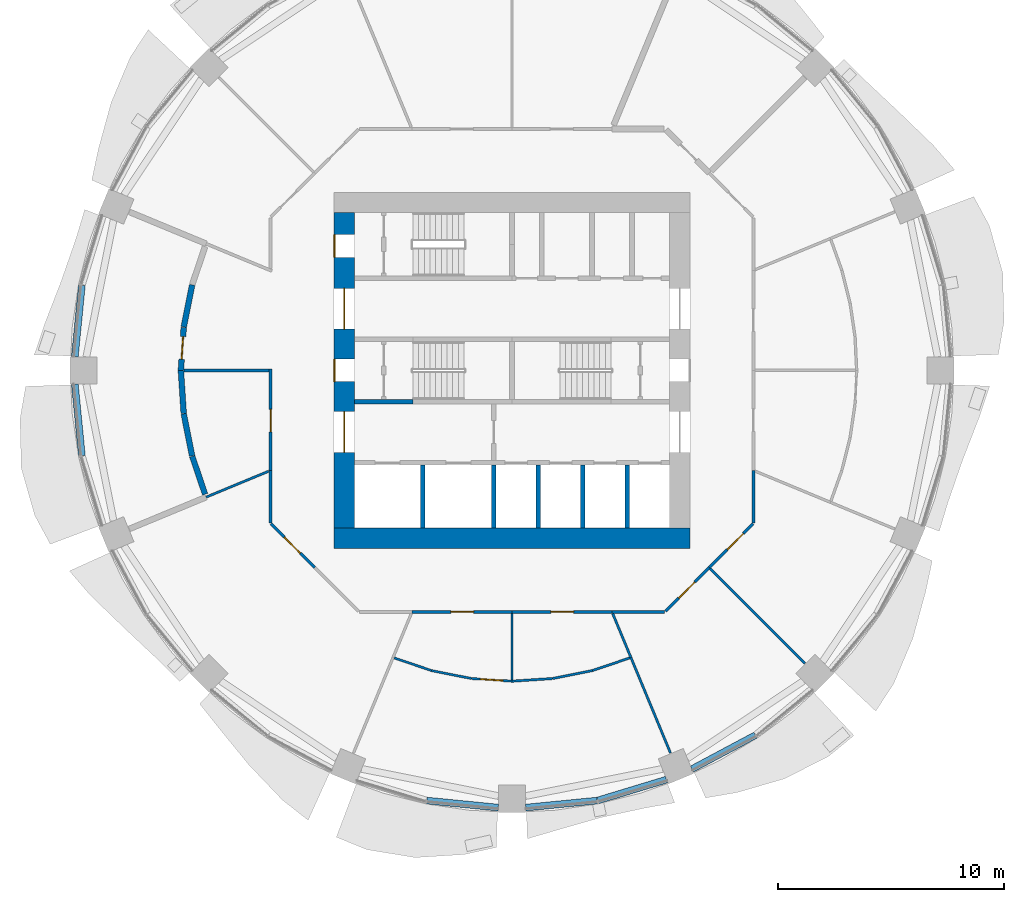
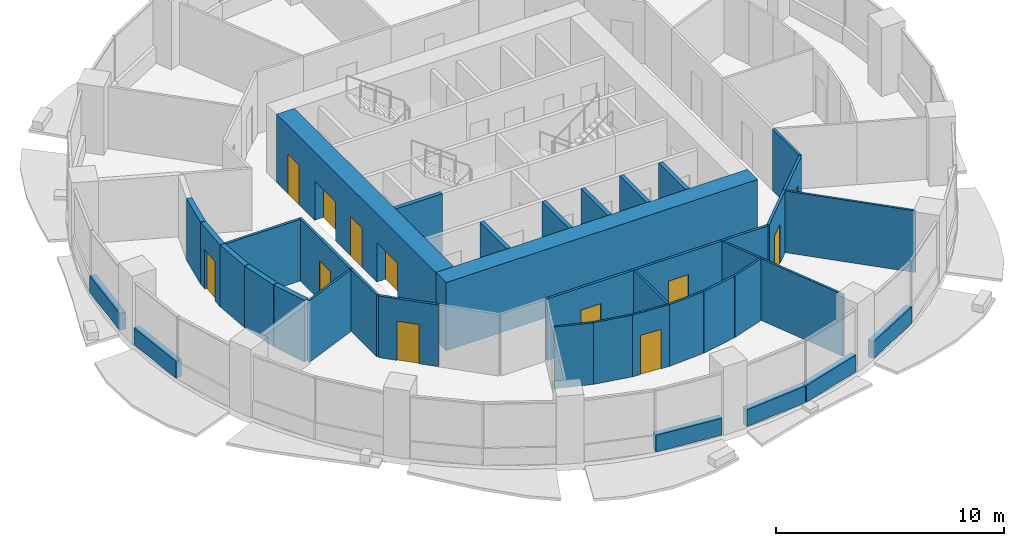
# One storey, part 8 of 15: 40 walls, 12 doors, 12 openings.
"""IFC4 building model written with IfcOpenShell, lengths in metres."""

from ifc_helpers import new_model, si_unit, direction, frame, frame_2d, origin, place, context, subcontext, project, spatial, rectangle, extrude, material, layer, layer_set, type_object, element, fill, save


model = new_model("IFC4")

# Units and contexts
model_context = context("Model", 3, precision=1e-05, world=origin(), true_north=direction((0.0, 1.0)))
body_context = subcontext(model_context, "Body", "Model", "MODEL_VIEW")
ifc_project = project(units=[si_unit("LENGTHUNIT", "METRE"), si_unit("AREAUNIT", "SQUARE_METRE"), si_unit("VOLUMEUNIT", "CUBIC_METRE"), si_unit("PLANEANGLEUNIT", "RADIAN"), si_unit("MASSUNIT", "GRAM", prefix="KILO")], contexts=[model_context])

# Site, building, storey
site_placement = place(None, origin())
site = spatial("IfcSite", under=ifc_project, at=site_placement, CompositionType="ELEMENT")
building_placement = place(site_placement, origin())
building = spatial("IfcBuilding", under=site, at=building_placement, Name="Polderwave Tower", CompositionType="ELEMENT")
storey_placement = place(building_placement, frame((0.0, 0.0, 59.050048828125)))
storey = spatial("IfcBuildingStorey", under=building, at=storey_placement, Name="L15", CompositionType="ELEMENT", Elevation=59.050048828125)

# Wall
ifc_material_1 = material(Name="Concrete C80/95", Category="concrete")
ifc_layer_1 = layer(ifc_material_1, 0.89990234375)
ifc_layer_set_1 = layer_set([ifc_layer_1], Name="CORE WALL 900 C80/95")
wall_type_1 = type_object("IfcWallType", Name="CORE WALL 900 C80/95", PredefinedType="SHEAR", material=ifc_layer_set_1)
wall_1_placement = place(storey_placement, frame((-7.8740234375, -7.424072265625, 0.0), z_axis=(0.0, 0.0, 1.0), x_axis=(1.0, 0.0, 0.0)))
element("IfcWall", 1, at=wall_1_placement, inside=storey, type_object=wall_type_1, Name="ST-CORE-L15-S", PredefinedType="SHEAR", context=body_context, shape_type="SweptSolid", body=[
    extrude(rectangle(XDim=15.748046875, YDim=0.89990234375, at=frame_2d((7.8740234375, 0.0))), origin(), (0.0, 0.0, 1.0), 3.64990234375),
])

# Wall, openings, doors
wall_2_placement = place(storey_placement, frame((-7.424072265625, -6.97412109375, 0.0), z_axis=(0.0, 0.0, 1.0), x_axis=(0.0, 1.0, 0.0)))
wall_2 = element("IfcWall", 2, at=wall_2_placement, inside=storey, type_object=wall_type_1, Name="ST-CORE-L15-W", PredefinedType="SHEAR", context=body_context, shape_type="SweptSolid", body=[
    extrude(rectangle(XDim=13.9482421875, YDim=0.89990234375, at=frame_2d((6.97412109375, 0.0))), origin(), (0.0, 0.0, 1.0), 3.64990234375),
])
opening_1_placement = place(wall_2_placement, frame((6.47412109375, 0.0, 0.0)))
opening_1 = element("IfcOpeningElement", 3, at=opening_1_placement, cuts=wall_2, Name="Opening L15-D18", PredefinedType="OPENING", context=body_context, shape_type="SweptSolid", body=[
    extrude(rectangle(XDim=1.0, YDim=2.10009765625, at=frame_2d((0.5, 1.050048828125))), frame((0.0, 0.4599609375, 0.0), z_axis=(0.0, -1.0, 0.0), x_axis=(1.0, 0.0, 0.0)), (0.0, 0.0, 1.0), 0.919921875),
])
opening_2_placement = place(wall_2_placement, frame((3.349609375, 0.0, 0.0)))
opening_2 = element("IfcOpeningElement", 4, at=opening_2_placement, cuts=wall_2, Name="Opening L15-D19", PredefinedType="OPENING", context=body_context, shape_type="SweptSolid", body=[
    extrude(rectangle(XDim=1.800048828125, YDim=2.10009765625, at=frame_2d((0.89990234375, 1.050048828125))), frame((0.0, 0.4599609375, 0.0), z_axis=(0.0, -1.0, 0.0), x_axis=(1.0, 0.0, 0.0)), (0.0, 0.0, 1.0), 0.919921875),
])
opening_3_placement = place(wall_2_placement, frame((8.798583984375, 0.0, 0.0)))
opening_3 = element("IfcOpeningElement", 5, at=opening_3_placement, cuts=wall_2, Name="Opening L15-D20", PredefinedType="OPENING", context=body_context, shape_type="SweptSolid", body=[
    extrude(rectangle(XDim=1.800048828125, YDim=2.10009765625, at=frame_2d((0.89990234375, 1.050048828125))), frame((0.0, 0.4599609375, 0.0), z_axis=(0.0, -1.0, 0.0), x_axis=(1.0, 0.0, 0.0)), (0.0, 0.0, 1.0), 0.919921875),
])
opening_4_placement = place(wall_2_placement, frame((11.97412109375, 0.0, 0.0)))
opening_4 = element("IfcOpeningElement", 6, at=opening_4_placement, cuts=wall_2, Name="Opening L15-D21", PredefinedType="OPENING", context=body_context, shape_type="SweptSolid", body=[
    extrude(rectangle(XDim=1.0, YDim=2.10009765625, at=frame_2d((0.5, 1.050048828125))), frame((0.0, 0.4599609375, 0.0), z_axis=(0.0, -1.0, 0.0), x_axis=(1.0, 0.0, 0.0)), (0.0, 0.0, 1.0), 0.919921875),
])
ifc_material_2 = material(Name="Steel fire door", Category="steel")
door_type_1 = type_object("IfcDoorType", Name="Lobby entry door pair 1800", OperationType="DOUBLE_DOOR_SINGLE_SWING", PredefinedType="DOOR", material=ifc_material_2)
door_1_placement = place(opening_2_placement, origin())
door_1 = element("IfcDoor", 7, at=door_1_placement, inside=storey, type_object=door_type_1, Name="Fire-fighting lobby entry door", OperationType="DOUBLE_DOOR_SINGLE_SWING", OverallHeight=2.10009765625, OverallWidth=1.800048828125, PredefinedType="DOOR", context=body_context, shape_type="SweptSolid", body=[
    extrude(rectangle(XDim=1.800048828125, YDim=2.10009765625, at=frame_2d((0.89990234375, 1.050048828125))), frame((0.0, 0.02490234375, 0.0), z_axis=(0.0, -1.0, 0.0), x_axis=(1.0, 0.0, 0.0)), (0.0, 0.0, 1.0), 0.050048828125),
])
fill(opening_2, door_1)
door_2_placement = place(opening_3_placement, origin())
door_2 = element("IfcDoor", 8, at=door_2_placement, inside=storey, type_object=door_type_1, Name="North lobby entry door", OperationType="DOUBLE_DOOR_SINGLE_SWING", OverallHeight=2.10009765625, OverallWidth=1.800048828125, PredefinedType="DOOR", context=body_context, shape_type="SweptSolid", body=[
    extrude(rectangle(XDim=1.800048828125, YDim=2.10009765625, at=frame_2d((0.89990234375, 1.050048828125))), frame((0.0, 0.02490234375, 0.0), z_axis=(0.0, -1.0, 0.0), x_axis=(1.0, 0.0, 0.0)), (0.0, 0.0, 1.0), 0.050048828125),
])
fill(opening_3, door_2)
door_type_2 = type_object("IfcDoorType", Name="Stair door 1000", OperationType="NOTDEFINED", PredefinedType="DOOR", material=ifc_material_2)
door_3_placement = place(opening_1_placement, origin())
door_3 = element("IfcDoor", 9, at=door_3_placement, inside=storey, type_object=door_type_2, Name="Stair A entry door", OperationType="SINGLE_SWING_RIGHT", OverallHeight=2.10009765625, OverallWidth=1.0, PredefinedType="DOOR", context=body_context, shape_type="SweptSolid", body=[
    extrude(rectangle(XDim=1.0, YDim=2.10009765625, at=frame_2d((0.5, 1.050048828125))), frame((0.0, 0.4501953125, 0.0), z_axis=(0.0, -1.0, 0.0), x_axis=(1.0, 0.0, 0.0)), (0.0, 0.0, 1.0), 0.050048828125),
])
fill(opening_1, door_3)
door_4_placement = place(opening_4_placement, origin())
door_4 = element("IfcDoor", 10, at=door_4_placement, inside=storey, type_object=door_type_2, Name="Stair C entry door", OperationType="SINGLE_SWING_RIGHT", OverallHeight=2.10009765625, OverallWidth=1.0, PredefinedType="DOOR", context=body_context, shape_type="SweptSolid", body=[
    extrude(rectangle(XDim=1.0, YDim=2.10009765625, at=frame_2d((0.5, 1.050048828125))), frame((0.0, 0.4501953125, 0.0), z_axis=(0.0, -1.0, 0.0), x_axis=(1.0, 0.0, 0.0)), (0.0, 0.0, 1.0), 0.050048828125),
])
fill(opening_4, door_4)

# Walls
ifc_material_3 = material(Name="Concrete C50/60 (board-marked)", Category="concrete")
ifc_layer_2 = layer(ifc_material_3, 0.300048828125)
ifc_layer_set_2 = layer_set([ifc_layer_2], Name="Concrete spandrel upstand C50/60")
wall_type_2 = type_object("IfcWallType", Name="Concrete spandrel upstand C50/60", PredefinedType="SOLIDWALL", material=ifc_layer_set_2)
for number, where, z_axis, x_axis, name in (
    (11, (-19.0185546875, 3.76806640625, 0.0), (0.0, 0.0, 1.0), (-0.098100807709, -0.995176482603, 0.0), "Spandrel L15 8b"),
    (12, (-19.32958984375, -0.61279296875, 0.0), (0.0, 0.0, 1.0), (0.098100807709, -0.995176482603, 0.0), "Spandrel L15 9a"),
    (13, (-3.76806640625, -19.0185546875, 0.0), (0.0, 0.0, 1.0), (0.995176482603, -0.098100807709, 0.0), "Spandrel L15 12b"),
    (14, (0.61279296875, -19.32958984375, 0.0), (0.0, 0.0, 1.0), (0.995176482603, 0.098100807709, 0.0), "Spandrel L15 13a"),
):
    element("IfcWall", number, at=place(storey_placement, frame(where, z_axis=z_axis, x_axis=x_axis)), inside=storey, type_object=wall_type_2, Name=name, PredefinedType="SOLIDWALL", context=body_context, shape_type="SweptSolid", body=[
        extrude(rectangle(XDim=3.170654296875, YDim=0.300048828125, at=frame_2d((1.58544921875, 0.0))), origin(), (0.0, 0.0, 1.0), 0.89990234375),
    ])
wall_3_placement = place(storey_placement, frame((3.79736328125, -19.0126953125, 0.0), z_axis=(0.0, 0.0, 1.0), x_axis=(0.956888224489, 0.290456409527, 0.0)))
element("IfcWall", 15, at=wall_3_placement, inside=storey, type_object=wall_type_2, Name="Spandrel L15 13b", PredefinedType="SOLIDWALL", context=body_context, shape_type="SweptSolid", body=[
    extrude(rectangle(XDim=3.1689453125, YDim=0.300048828125, at=frame_2d((1.58447265625, 0.0))), origin(), (0.0, 0.0, 1.0), 0.89990234375),
])
wall_4_placement = place(storey_placement, frame((7.963134765625, -17.622802734375, 0.0), z_axis=(0.0, 0.0, 1.0), x_axis=(0.882007292685, 0.47123575379, 0.0)))
element("IfcWall", 16, at=wall_4_placement, inside=storey, type_object=wall_type_2, Name="Spandrel L15 14a", PredefinedType="SOLIDWALL", context=body_context, shape_type="SweptSolid", body=[
    extrude(rectangle(XDim=3.169677734375, YDim=0.300048828125, at=frame_2d((1.5849609375, 0.0))), origin(), (0.0, 0.0, 1.0), 0.89990234375),
])
ifc_material_4 = material(Name="Concrete C50/60", Category="concrete")
ifc_layer_3 = layer(ifc_material_4, 0.199951171875)
ifc_layer_set_3 = layer_set([ifc_layer_3], Name="Core web wall 200")
wall_type_3 = type_object("IfcWallType", Name="Core web wall 200", PredefinedType="SHEAR", material=ifc_layer_set_3)
wall_5_placement = place(storey_placement, frame((-6.97412109375, -1.375, 0.0), z_axis=(0.0, 0.0, 1.0), x_axis=(1.0, 0.0, 0.0)))
element("IfcWall", 17, at=wall_5_placement, inside=storey, type_object=wall_type_3, Name="L15 south stair wall 1", PredefinedType="SHEAR", context=body_context, shape_type="SweptSolid", body=[
    extrude(rectangle(XDim=2.60009765625, YDim=0.199951171875, at=frame_2d((1.300048828125, 0.0))), origin(), (0.0, 0.0, 1.0), 3.300048828125),
])

# Wall, opening, door
ifc_material_5 = material(Name="Fire-resisting board on steel studs", Category="steel")
ifc_layer_4 = layer(ifc_material_5, 0.125)
ifc_layer_set_4 = layer_set([ifc_layer_4], Name="Corridor wall 125 mm EI 60")
wall_type_4 = type_object("IfcWallType", Name="Corridor wall 125 mm EI 60", PredefinedType="PARTITIONING", material=ifc_layer_set_4)
wall_6_placement = place(storey_placement, frame((10.65576171875, -6.789306640625, 0.0), z_axis=(0.0, 0.0, 1.0), x_axis=(-0.707151428813, -0.707062130741, 0.0)))
wall_6 = element("IfcWall", 18, at=wall_6_placement, inside=storey, type_object=wall_type_4, Name="IN-L15-W004", PredefinedType="PARTITIONING", context=body_context, shape_type="SweptSolid", body=[
    extrude(rectangle(XDim=2.73388671875, YDim=0.125, at=frame_2d((1.366943359375, 0.0))), origin(), (0.0, 0.0, 1.0), 3.300048828125),
])
opening_5_placement = place(wall_6_placement, frame((0.60009765625, 0.0, 0.0)))
opening_5 = element("IfcOpeningElement", 19, at=opening_5_placement, cuts=wall_6, Name="Opening L15-D52", PredefinedType="OPENING", context=body_context, shape_type="SweptSolid", body=[
    extrude(rectangle(XDim=1.0, YDim=2.10009765625, at=frame_2d((0.5, 1.050048828125))), frame((0.0, 0.072509765625, 0.0), z_axis=(0.0, -1.0, 0.0), x_axis=(1.0, 0.0, 0.0)), (0.0, 0.0, 1.0), 0.14501953125),
])
ifc_material_6 = material(Name="Timber fire door leaf", Category="wood")
door_type_3 = type_object("IfcDoorType", Name="Fire door FD30S 1000 x 2100", OperationType="NOTDEFINED", PredefinedType="DOOR", material=ifc_material_6)
door_5_placement = place(opening_5_placement, origin())
door_5 = element("IfcDoor", 20, at=door_5_placement, inside=storey, type_object=door_type_3, Name="Door L15-D52", OperationType="SINGLE_SWING_LEFT", OverallHeight=2.10009765625, OverallWidth=1.0, PredefinedType="DOOR", context=body_context, shape_type="SweptSolid", body=[
    extrude(rectangle(XDim=1.0, YDim=2.10009765625, at=frame_2d((0.5, 1.050048828125))), frame((0.0, 0.02490234375, 0.0), z_axis=(0.0, -1.0, 0.0), x_axis=(1.0, 0.0, 0.0)), (0.0, 0.0, 1.0), 0.050048828125),
])
fill(opening_5, door_5)

# Wall
wall_7_placement = place(storey_placement, frame((10.674072265625, -4.42138671875, 0.0), z_axis=(0.0, 0.0, 1.0), x_axis=(0.0, -1.0, 0.0)))
element("IfcWall", 21, at=wall_7_placement, inside=storey, type_object=wall_type_4, Name="IN-L15-W005", PredefinedType="PARTITIONING", context=body_context, shape_type="SweptSolid", body=[
    extrude(rectangle(XDim=2.32373046875, YDim=0.125, at=frame_2d((1.161865234375, 0.0))), origin(), (0.0, 0.0, 1.0), 3.300048828125),
])

# Wall, opening, door
wall_8_placement = place(storey_placement, frame((-10.674072265625, -4.42138671875, 0.0), z_axis=(0.0, 0.0, 1.0), x_axis=(0.0, 1.0, 0.0)))
wall_8 = element("IfcWall", 22, at=wall_8_placement, inside=storey, type_object=wall_type_4, Name="IN-L15-W015", PredefinedType="PARTITIONING", context=body_context, shape_type="SweptSolid", body=[
    extrude(rectangle(XDim=4.48388671875, YDim=0.125, at=frame_2d((2.241943359375, 0.0))), origin(), (0.0, 0.0, 1.0), 3.300048828125),
])
opening_6_placement = place(wall_8_placement, frame((1.699951171875, 0.0, 0.0)))
opening_6 = element("IfcOpeningElement", 23, at=opening_6_placement, cuts=wall_8, Name="Opening L15-D59", PredefinedType="OPENING", context=body_context, shape_type="SweptSolid", body=[
    extrude(rectangle(XDim=1.0, YDim=2.10009765625, at=frame_2d((0.5, 1.050048828125))), frame((0.0, 0.072509765625, 0.0), z_axis=(0.0, -1.0, 0.0), x_axis=(1.0, 0.0, 0.0)), (0.0, 0.0, 1.0), 0.14501953125),
])
door_6_placement = place(opening_6_placement, origin())
door_6 = element("IfcDoor", 24, at=door_6_placement, inside=storey, type_object=door_type_3, Name="Door L15-D59", OperationType="SINGLE_SWING_LEFT", OverallHeight=2.10009765625, OverallWidth=1.0, PredefinedType="DOOR", context=body_context, shape_type="SweptSolid", body=[
    extrude(rectangle(XDim=1.0, YDim=2.10009765625, at=frame_2d((0.5, 1.050048828125))), frame((0.0, 0.02490234375, 0.0), z_axis=(0.0, -1.0, 0.0), x_axis=(1.0, 0.0, 0.0)), (0.0, 0.0, 1.0), 0.050048828125),
])
fill(opening_6, door_6)

# Wall
wall_9_placement = place(storey_placement, frame((-10.674072265625, -6.7451171875, 0.0), z_axis=(0.0, 0.0, 1.0), x_axis=(0.0, 1.0, 0.0)))
element("IfcWall", 25, at=wall_9_placement, inside=storey, type_object=wall_type_4, Name="IN-L15-W016", PredefinedType="PARTITIONING", context=body_context, shape_type="SweptSolid", body=[
    extrude(rectangle(XDim=2.32373046875, YDim=0.125, at=frame_2d((1.161865234375, 0.0))), origin(), (0.0, 0.0, 1.0), 3.300048828125),
])

# Wall, opening, door
wall_10_placement = place(storey_placement, frame((-8.722412109375, -8.722412109375, 0.0), z_axis=(0.0, 0.0, 1.0), x_axis=(-0.707151428813, 0.707062130741, 0.0)))
wall_10 = element("IfcWall", 26, at=wall_10_placement, inside=storey, type_object=wall_type_4, Name="IN-L15-W017", PredefinedType="PARTITIONING", context=body_context, shape_type="SweptSolid", body=[
    extrude(rectangle(XDim=2.73388671875, YDim=0.125, at=frame_2d((1.366943359375, 0.0))), origin(), (0.0, 0.0, 1.0), 3.300048828125),
])
opening_7_placement = place(wall_10_placement, frame((0.89990234375, 0.0, 0.0)))
opening_7 = element("IfcOpeningElement", 27, at=opening_7_placement, cuts=wall_10, Name="Opening L15-D60", PredefinedType="OPENING", context=body_context, shape_type="SweptSolid", body=[
    extrude(rectangle(XDim=1.0, YDim=2.10009765625, at=frame_2d((0.5, 1.050048828125))), frame((0.0, 0.072509765625, 0.0), z_axis=(0.0, -1.0, 0.0), x_axis=(1.0, 0.0, 0.0)), (0.0, 0.0, 1.0), 0.14501953125),
])
door_7_placement = place(opening_7_placement, origin())
door_7 = element("IfcDoor", 28, at=door_7_placement, inside=storey, type_object=door_type_3, Name="Door L15-D60", OperationType="SINGLE_SWING_RIGHT", OverallHeight=2.10009765625, OverallWidth=1.0, PredefinedType="DOOR", context=body_context, shape_type="SweptSolid", body=[
    extrude(rectangle(XDim=1.0, YDim=2.10009765625, at=frame_2d((0.5, 1.050048828125))), frame((0.0, 0.02490234375, 0.0), z_axis=(0.0, -1.0, 0.0), x_axis=(1.0, 0.0, 0.0)), (0.0, 0.0, 1.0), 0.050048828125),
])
fill(opening_7, door_7)

wall_11_placement = place(storey_placement, frame((0.0, -10.674072265625, 0.0), z_axis=(0.0, 0.0, 1.0), x_axis=(-1.0, 0.0, 0.0)))
wall_11 = element("IfcWall", 29, at=wall_11_placement, inside=storey, type_object=wall_type_4, Name="IN-L15-W020", PredefinedType="PARTITIONING", context=body_context, shape_type="SweptSolid", body=[
    extrude(rectangle(XDim=4.42138671875, YDim=0.125, at=frame_2d((2.210693359375, 0.0))), origin(), (0.0, 0.0, 1.0), 3.300048828125),
])
opening_8_placement = place(wall_11_placement, frame((1.699951171875, 0.0, 0.0)))
opening_8 = element("IfcOpeningElement", 30, at=opening_8_placement, cuts=wall_11, Name="Opening L15-D61", PredefinedType="OPENING", context=body_context, shape_type="SweptSolid", body=[
    extrude(rectangle(XDim=1.0, YDim=2.10009765625, at=frame_2d((0.5, 1.050048828125))), frame((0.0, 0.072509765625, 0.0), z_axis=(0.0, -1.0, 0.0), x_axis=(1.0, 0.0, 0.0)), (0.0, 0.0, 1.0), 0.14501953125),
])
door_8_placement = place(opening_8_placement, origin())
door_8 = element("IfcDoor", 31, at=door_8_placement, inside=storey, type_object=door_type_3, Name="Door L15-D61", OperationType="SINGLE_SWING_LEFT", OverallHeight=2.10009765625, OverallWidth=1.0, PredefinedType="DOOR", context=body_context, shape_type="SweptSolid", body=[
    extrude(rectangle(XDim=1.0, YDim=2.10009765625, at=frame_2d((0.5, 1.050048828125))), frame((0.0, 0.02490234375, 0.0), z_axis=(0.0, -1.0, 0.0), x_axis=(1.0, 0.0, 0.0)), (0.0, 0.0, 1.0), 0.050048828125),
])
fill(opening_8, door_8)

wall_12_placement = place(storey_placement, frame((4.42138671875, -10.674072265625, 0.0), z_axis=(0.0, 0.0, 1.0), x_axis=(-1.0, 0.0, 0.0)))
wall_12 = element("IfcWall", 32, at=wall_12_placement, inside=storey, type_object=wall_type_4, Name="IN-L15-W021", PredefinedType="PARTITIONING", context=body_context, shape_type="SweptSolid", body=[
    extrude(rectangle(XDim=4.42138671875, YDim=0.125, at=frame_2d((2.210693359375, 0.0))), origin(), (0.0, 0.0, 1.0), 3.300048828125),
])
opening_9_placement = place(wall_12_placement, frame((1.699951171875, 0.0, 0.0)))
opening_9 = element("IfcOpeningElement", 33, at=opening_9_placement, cuts=wall_12, Name="Opening L15-D62", PredefinedType="OPENING", context=body_context, shape_type="SweptSolid", body=[
    extrude(rectangle(XDim=1.0, YDim=2.10009765625, at=frame_2d((0.5, 1.050048828125))), frame((0.0, 0.072509765625, 0.0), z_axis=(0.0, -1.0, 0.0), x_axis=(1.0, 0.0, 0.0)), (0.0, 0.0, 1.0), 0.14501953125),
])
door_9_placement = place(opening_9_placement, origin())
door_9 = element("IfcDoor", 34, at=door_9_placement, inside=storey, type_object=door_type_3, Name="Door L15-D62", OperationType="SINGLE_SWING_LEFT", OverallHeight=2.10009765625, OverallWidth=1.0, PredefinedType="DOOR", context=body_context, shape_type="SweptSolid", body=[
    extrude(rectangle(XDim=1.0, YDim=2.10009765625, at=frame_2d((0.5, 1.050048828125))), frame((0.0, 0.02490234375, 0.0), z_axis=(0.0, -1.0, 0.0), x_axis=(1.0, 0.0, 0.0)), (0.0, 0.0, 1.0), 0.050048828125),
])
fill(opening_9, door_9)

# Wall
wall_13_placement = place(storey_placement, frame((6.7451171875, -10.674072265625, 0.0), z_axis=(0.0, 0.0, 1.0), x_axis=(-1.0, 0.0, 0.0)))
element("IfcWall", 35, at=wall_13_placement, inside=storey, type_object=wall_type_4, Name="IN-L15-W022", PredefinedType="PARTITIONING", context=body_context, shape_type="SweptSolid", body=[
    extrude(rectangle(XDim=2.32373046875, YDim=0.125, at=frame_2d((1.161865234375, 0.0))), origin(), (0.0, 0.0, 1.0), 3.300048828125),
])

# Wall, opening, door
wall_14_placement = place(storey_placement, frame((8.722412109375, -8.722412109375, 0.0), z_axis=(0.0, 0.0, 1.0), x_axis=(-0.707062130741, -0.707151428813, 0.0)))
wall_14 = element("IfcWall", 36, at=wall_14_placement, inside=storey, type_object=wall_type_4, Name="IN-L15-W023", PredefinedType="PARTITIONING", context=body_context, shape_type="SweptSolid", body=[
    extrude(rectangle(XDim=2.73388671875, YDim=0.125, at=frame_2d((1.366943359375, 0.0))), origin(), (0.0, 0.0, 1.0), 3.300048828125),
])
opening_10_placement = place(wall_14_placement, frame((0.89990234375, 0.0, 0.0)))
opening_10 = element("IfcOpeningElement", 37, at=opening_10_placement, cuts=wall_14, Name="Opening L15-D63", PredefinedType="OPENING", context=body_context, shape_type="SweptSolid", body=[
    extrude(rectangle(XDim=1.0, YDim=2.10009765625, at=frame_2d((0.5, 1.050048828125))), frame((0.0, 0.072509765625, 0.0), z_axis=(0.0, -1.0, 0.0), x_axis=(1.0, 0.0, 0.0)), (0.0, 0.0, 1.0), 0.14501953125),
])
door_10_placement = place(opening_10_placement, origin())
door_10 = element("IfcDoor", 38, at=door_10_placement, inside=storey, type_object=door_type_3, Name="Door L15-D63", OperationType="SINGLE_SWING_RIGHT", OverallHeight=2.10009765625, OverallWidth=1.0, PredefinedType="DOOR", context=body_context, shape_type="SweptSolid", body=[
    extrude(rectangle(XDim=1.0, YDim=2.10009765625, at=frame_2d((0.5, 1.050048828125))), frame((0.0, 0.02490234375, 0.0), z_axis=(0.0, -1.0, 0.0), x_axis=(1.0, 0.0, 0.0)), (0.0, 0.0, 1.0), 0.050048828125),
])
fill(opening_10, door_10)

# Walls
wall_15_placement = place(storey_placement, frame((-10.736572265625, 0.0, 0.0), z_axis=(0.0, 0.0, 1.0), x_axis=(-1.0, 0.0, 0.0)))
element("IfcWall", 39, at=wall_15_placement, inside=storey, type_object=wall_type_4, Name="IN-L15-W046", PredefinedType="PARTITIONING", context=body_context, shape_type="SweptSolid", body=[
    extrude(rectangle(XDim=3.77392578125, YDim=0.125, at=frame_2d((1.886962890625, 0.0))), origin(), (0.0, 0.0, 1.0), 3.300048828125),
])
ifc_material_7 = material(Name="Plasterboard on steel studs", Category="steel")
ifc_layer_5 = layer(ifc_material_7, 0.10009765625)
ifc_layer_set_5 = layer_set([ifc_layer_5], Name="Partition 100 mm plasterboard on steel studs")
wall_type_5 = type_object("IfcWallType", Name="Partition 100 mm plasterboard on steel studs", PredefinedType="PARTITIONING", material=ifc_layer_set_5)
wall_16_placement = place(storey_placement, frame((-3.559326171875, -13.270751953125, 0.0), z_axis=(0.0, 0.0, 1.0), x_axis=(-0.946941295521, 0.321406569374, 0.0)))
element("IfcWall", 40, at=wall_16_placement, inside=storey, type_object=wall_type_5, Name="IN-L15-W054", PredefinedType="PARTITIONING", context=body_context, shape_type="SweptSolid", body=[
    extrude(rectangle(XDim=1.738037109375, YDim=0.10009765625, at=frame_2d((0.869140625, 0.0))), origin(), (0.0, 0.0, 1.0), 3.300048828125),
])
wall_17_placement = place(storey_placement, frame((-1.796630859375, -13.621826171875, 0.0), z_axis=(0.0, 0.0, 1.0), x_axis=(-0.980784643133, 0.195093525761, 0.0)))
element("IfcWall", 41, at=wall_17_placement, inside=storey, type_object=wall_type_5, Name="IN-L15-W055", PredefinedType="PARTITIONING", context=body_context, shape_type="SweptSolid", body=[
    extrude(rectangle(XDim=1.790771484375, YDim=0.10009765625, at=frame_2d((0.8955078125, 0.0))), origin(), (0.0, 0.0, 1.0), 3.300048828125),
])

# Wall, opening, door
wall_18_placement = place(storey_placement, frame((0.0, -13.739990234375, 0.0), z_axis=(0.0, 0.0, 1.0), x_axis=(-0.997863935765, 0.065326607906, 0.0)))
wall_18 = element("IfcWall", 42, at=wall_18_placement, inside=storey, type_object=wall_type_5, Name="IN-L15-W056", PredefinedType="PARTITIONING", context=body_context, shape_type="SweptSolid", body=[
    extrude(rectangle(XDim=1.7939453125, YDim=0.10009765625, at=frame_2d((0.89697265625, 0.0))), origin(), (0.0, 0.0, 1.0), 3.300048828125),
])
opening_11_placement = place(wall_18_placement, frame((0.39990234375, 0.0, 0.0)))
opening_11 = element("IfcOpeningElement", 43, at=opening_11_placement, cuts=wall_18, Name="Opening L15-D66", PredefinedType="OPENING", context=body_context, shape_type="SweptSolid", body=[
    extrude(rectangle(XDim=1.0, YDim=2.10009765625, at=frame_2d((0.5, 1.050048828125))), frame((0.0, 0.06005859375, 0.0), z_axis=(0.0, -1.0, 0.0), x_axis=(1.0, 0.0, 0.0)), (0.0, 0.0, 1.0), 0.1201171875),
])
ifc_material_8 = material(Name="Timber veneer door leaf", Category="wood")
door_type_4 = type_object("IfcDoorType", Name="Single door 1000 x 2100", OperationType="NOTDEFINED", PredefinedType="DOOR", material=ifc_material_8)
door_11_placement = place(opening_11_placement, origin())
door_11 = element("IfcDoor", 44, at=door_11_placement, inside=storey, type_object=door_type_4, Name="Door L15-D66", OperationType="SINGLE_SWING_RIGHT", OverallHeight=2.10009765625, OverallWidth=1.0, PredefinedType="DOOR", context=body_context, shape_type="SweptSolid", body=[
    extrude(rectangle(XDim=1.0, YDim=2.10009765625, at=frame_2d((0.5, 1.050048828125))), frame((0.0, 0.02490234375, 0.0), z_axis=(0.0, -1.0, 0.0), x_axis=(1.0, 0.0, 0.0)), (0.0, 0.0, 1.0), 0.050048828125),
])
fill(opening_11, door_11)

# Walls
ifc_material_9 = material(Name="Moisture-resistant board on steel studs, tiled", Category="steel")
ifc_layer_6 = layer(ifc_material_9, 0.10498046875)
ifc_layer_set_6 = layer_set([ifc_layer_6], Name="Partition 105 mm wet room board and tile")
wall_type_6 = type_object("IfcWallType", Name="Partition 105 mm wet room board and tile", PredefinedType="PARTITIONING", material=ifc_layer_set_6)
wall_19_placement = place(storey_placement, frame((-10.756591796875, -4.45556640625, 0.0), z_axis=(0.0, 0.0, 1.0), x_axis=(-0.923879826967, -0.382682721486, 0.0)))
element("IfcWall", 45, at=wall_19_placement, inside=storey, type_object=wall_type_6, Name="IN-L15-W051", PredefinedType="PARTITIONING", context=body_context, shape_type="SweptSolid", body=[
    extrude(rectangle(XDim=2.9970703125, YDim=0.10498046875, at=frame_2d((1.49853515625, 0.0))), origin(), (0.0, 0.0, 1.0), 3.300048828125),
])
wall_20_placement = place(storey_placement, frame((0.0, -10.736572265625, 0.0), z_axis=(0.0, 0.0, 1.0), x_axis=(0.0, -1.0, 0.0)))
element("IfcWall", 46, at=wall_20_placement, inside=storey, type_object=wall_type_6, Name="IN-L15-W057", PredefinedType="PARTITIONING", context=body_context, shape_type="SweptSolid", body=[
    extrude(rectangle(XDim=2.947265625, YDim=0.10498046875, at=frame_2d((1.4736328125, 0.0))), origin(), (0.0, 0.0, 1.0), 3.300048828125),
])
wall_21_placement = place(storey_placement, frame((0.0, -13.739990234375, 0.0), z_axis=(0.0, 0.0, 1.0), x_axis=(0.997863935765, 0.065326607906, 0.0)))
element("IfcWall", 47, at=wall_21_placement, inside=storey, type_object=wall_type_6, Name="IN-L15-W058", PredefinedType="PARTITIONING", context=body_context, shape_type="SweptSolid", body=[
    extrude(rectangle(XDim=1.7939453125, YDim=0.10498046875, at=frame_2d((0.89697265625, 0.0))), origin(), (0.0, 0.0, 1.0), 3.300048828125),
])
wall_22_placement = place(storey_placement, frame((1.796875, -13.621826171875, 0.0), z_axis=(0.0, 0.0, 1.0), x_axis=(0.980774260843, 0.195145712912, 0.0)))
element("IfcWall", 48, at=wall_22_placement, inside=storey, type_object=wall_type_6, Name="IN-L15-W059", PredefinedType="PARTITIONING", context=body_context, shape_type="SweptSolid", body=[
    extrude(rectangle(XDim=1.790283203125, YDim=0.10498046875, at=frame_2d((0.89501953125, 0.0))), origin(), (0.0, 0.0, 1.0), 3.300048828125),
])
wall_23_placement = place(storey_placement, frame((3.5595703125, -13.270751953125, 0.0), z_axis=(0.0, 0.0, 1.0), x_axis=(0.946926781261, 0.321449328713, 0.0)))
element("IfcWall", 49, at=wall_23_placement, inside=storey, type_object=wall_type_6, Name="IN-L15-W060", PredefinedType="PARTITIONING", context=body_context, shape_type="SweptSolid", body=[
    extrude(rectangle(XDim=1.73779296875, YDim=0.10498046875, at=frame_2d((0.868896484375, 0.0))), origin(), (0.0, 0.0, 1.0), 3.300048828125),
])
wall_24_placement = place(storey_placement, frame((5.258056640625, -12.694091796875, 0.0), z_axis=(0.0, 0.0, 1.0), x_axis=(0.382710364739, -0.923868376297, 0.0)))
element("IfcWall", 50, at=wall_24_placement, inside=storey, type_object=wall_type_6, Name="IN-L15-W061", PredefinedType="PARTITIONING", context=body_context, shape_type="SweptSolid", body=[
    extrude(rectangle(XDim=4.570068359375, YDim=0.10498046875, at=frame_2d((2.28515625, 0.0))), origin(), (0.0, 0.0, 1.0), 3.300048828125),
])
wall_25_placement = place(storey_placement, frame((4.45556640625, -10.756591796875, 0.0), z_axis=(0.0, 0.0, 1.0), x_axis=(0.382663674763, -0.92388771613, 0.0)))
element("IfcWall", 51, at=wall_25_placement, inside=storey, type_object=wall_type_6, Name="IN-L15-W062", PredefinedType="PARTITIONING", context=body_context, shape_type="SweptSolid", body=[
    extrude(rectangle(XDim=2.09716796875, YDim=0.10498046875, at=frame_2d((1.048583984375, 0.0))), origin(), (0.0, 0.0, 1.0), 3.300048828125),
])
wall_26_placement = place(storey_placement, frame((8.7666015625, -8.7666015625, 0.0), z_axis=(0.0, 0.0, 1.0), x_axis=(0.707106781187, -0.707106781187, 0.0)))
element("IfcWall", 52, at=wall_26_placement, inside=storey, type_object=wall_type_6, Name="IN-L15-W063", PredefinedType="PARTITIONING", context=body_context, shape_type="SweptSolid", body=[
    extrude(rectangle(XDim=5.912109375, YDim=0.10498046875, at=frame_2d((2.9560546875, 0.0))), origin(), (0.0, 0.0, 1.0), 3.300048828125),
])

# Wall, opening, door
ifc_material_10 = material(Name="Fire-resisting board on steel studs, mineral wool", Category="steel")
ifc_layer_7 = layer(ifc_material_10, 0.25)
ifc_layer_set_7 = layer_set([ifc_layer_7], Name="Plant room wall 250 mm EI 120")
wall_type_7 = type_object("IfcWallType", Name="Plant room wall 250 mm EI 120", PredefinedType="PARTITIONING", material=ifc_layer_set_7)
wall_27_placement = place(storey_placement, frame((-14.639892578125, 0.0, 0.0), z_axis=(0.0, 0.0, 1.0), x_axis=(0.065303653727, 0.997865438228, 0.0)))
wall_27 = element("IfcWall", 53, at=wall_27_placement, inside=storey, type_object=wall_type_7, Name="IN-L15-W043", PredefinedType="PARTITIONING", context=body_context, shape_type="SweptSolid", body=[
    extrude(rectangle(XDim=1.90673828125, YDim=0.25, at=frame_2d((0.953369140625, 0.0))), origin(), (0.0, 0.0, 1.0), 3.300048828125),
])
opening_12_placement = place(wall_27_placement, frame((0.5, 0.0, 0.0)))
opening_12 = element("IfcOpeningElement", 54, at=opening_12_placement, cuts=wall_27, Name="Opening L15-D65", PredefinedType="OPENING", context=body_context, shape_type="SweptSolid", body=[
    extrude(rectangle(XDim=1.0, YDim=2.10009765625, at=frame_2d((0.5, 1.050048828125))), frame((0.0, 0.135009765625, 0.0), z_axis=(0.0, -1.0, 0.0), x_axis=(1.0, 0.0, 0.0)), (0.0, 0.0, 1.0), 0.27001953125),
])
ifc_material_11 = material(Name="Steel plant door leaf", Category="steel")
door_type_5 = type_object("IfcDoorType", Name="Plant door FD60 1000 x 2100 steel", OperationType="NOTDEFINED", PredefinedType="DOOR", material=ifc_material_11)
door_12_placement = place(opening_12_placement, origin())
door_12 = element("IfcDoor", 55, at=door_12_placement, inside=storey, type_object=door_type_5, Name="Door L15-D65", OperationType="SINGLE_SWING_RIGHT", OverallHeight=2.10009765625, OverallWidth=1.0, PredefinedType="DOOR", context=body_context, shape_type="SweptSolid", body=[
    extrude(rectangle(XDim=1.0, YDim=2.10009765625, at=frame_2d((0.5, 1.050048828125))), frame((0.0, 0.02490234375, 0.0), z_axis=(0.0, -1.0, 0.0), x_axis=(1.0, 0.0, 0.0)), (0.0, 0.0, 1.0), 0.050048828125),
])
fill(opening_12, door_12)

# Walls
wall_28_placement = place(storey_placement, frame((-14.51318359375, 1.9189453125, 0.0), z_axis=(0.0, 0.0, 1.0), x_axis=(0.195077379777, 0.980787854686, 0.0)))
element("IfcWall", 56, at=wall_28_placement, inside=storey, type_object=wall_type_7, Name="IN-L15-W044", PredefinedType="PARTITIONING", context=body_context, shape_type="SweptSolid", body=[
    extrude(rectangle(XDim=1.8984375, YDim=0.25, at=frame_2d((0.94921875, 0.0))), origin(), (0.0, 0.0, 1.0), 3.300048828125),
])
wall_29_placement = place(storey_placement, frame((-14.639892578125, 0.0, 0.0), z_axis=(0.0, 0.0, 1.0), x_axis=(0.065303653727, -0.997865438228, 0.0)))
element("IfcWall", 57, at=wall_29_placement, inside=storey, type_object=wall_type_7, Name="IN-L15-W047", PredefinedType="PARTITIONING", context=body_context, shape_type="SweptSolid", body=[
    extrude(rectangle(XDim=1.90673828125, YDim=0.25, at=frame_2d((0.953369140625, 0.0))), origin(), (0.0, 0.0, 1.0), 3.300048828125),
])
wall_30_placement = place(storey_placement, frame((-14.51318359375, -1.9189453125, 0.0), z_axis=(0.0, 0.0, 1.0), x_axis=(0.195077379777, -0.980787854686, 0.0)))
element("IfcWall", 58, at=wall_30_placement, inside=storey, type_object=wall_type_7, Name="IN-L15-W048", PredefinedType="PARTITIONING", context=body_context, shape_type="SweptSolid", body=[
    extrude(rectangle(XDim=1.8984375, YDim=0.25, at=frame_2d((0.94921875, 0.0))), origin(), (0.0, 0.0, 1.0), 3.300048828125),
])
wall_31_placement = place(storey_placement, frame((-14.138671875, -3.796875, 0.0), z_axis=(0.0, 0.0, 1.0), x_axis=(0.321468303742, -0.946920339674, 0.0)))
element("IfcWall", 59, at=wall_31_placement, inside=storey, type_object=wall_type_7, Name="IN-L15-W049", PredefinedType="PARTITIONING", context=body_context, shape_type="SweptSolid", body=[
    extrude(rectangle(XDim=1.7734375, YDim=0.25, at=frame_2d((0.88671875, 0.0))), origin(), (0.0, 0.0, 1.0), 3.300048828125),
])
ifc_material_12 = material(Name="Gypsum shaft wall system")
ifc_layer_8 = layer(ifc_material_12, 0.199951171875)
ifc_layer_set_8 = layer_set([ifc_layer_8], Name="Shaft wall 200")
wall_type_8 = type_object("IfcWallType", Name="Shaft wall 200", PredefinedType="PARTITIONING", material=ifc_layer_set_8)
for number, where, z_axis, x_axis, name in (
    (60, (-3.93701171875, -6.97412109375, 0.0), (0.0, 0.0, 1.0), (0.0, 1.0, 0.0), "L15 fire-fighting shaft wall 1"),
    (61, (-0.800048828125, -6.97412109375, 0.0), (0.0, 0.0, 1.0), (0.0, 1.0, 0.0), "L15 fire-fighting shaft wall 2"),
    (62, (1.16845703125, -6.97412109375, 0.0), (0.0, 0.0, 1.0), (0.0, 1.0, 0.0), "L15 lift shaft wall 1"),
    (63, (3.136962890625, -6.97412109375, 0.0), (0.0, 0.0, 1.0), (0.0, 1.0, 0.0), "L15 lift shaft wall 2"),
    (64, (5.10546875, -6.97412109375, 0.0), (0.0, 0.0, 1.0), (0.0, 1.0, 0.0), "L15 lift shaft wall 3"),
):
    element("IfcWall", number, at=place(storey_placement, frame(where, z_axis=z_axis, x_axis=x_axis)), inside=storey, type_object=wall_type_8, Name=name, PredefinedType="PARTITIONING", context=body_context, shape_type="SweptSolid", body=[
        extrude(rectangle(XDim=2.800048828125, YDim=0.199951171875, at=frame_2d((1.39990234375, 0.0))), origin(), (0.0, 0.0, 1.0), 3.300048828125),
    ])

save(model, "model.ifc")
